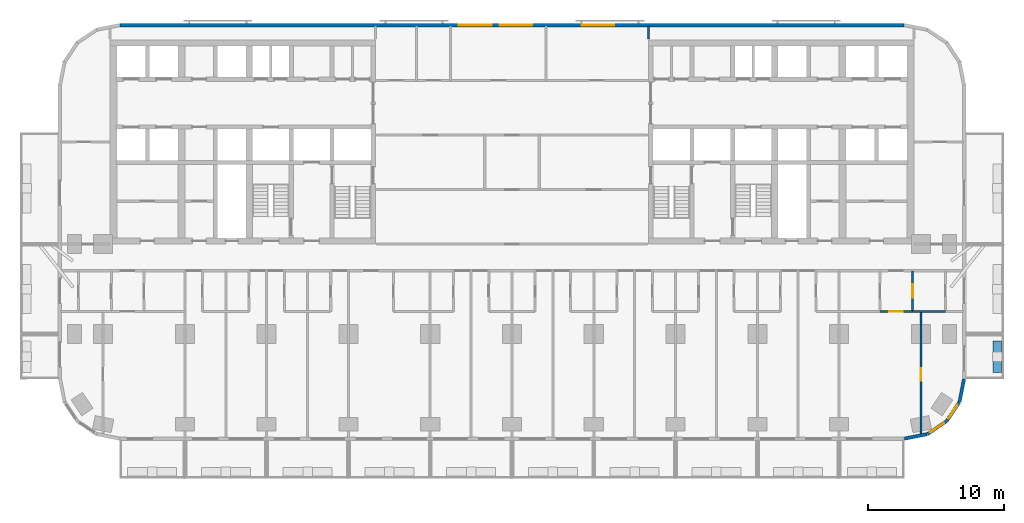
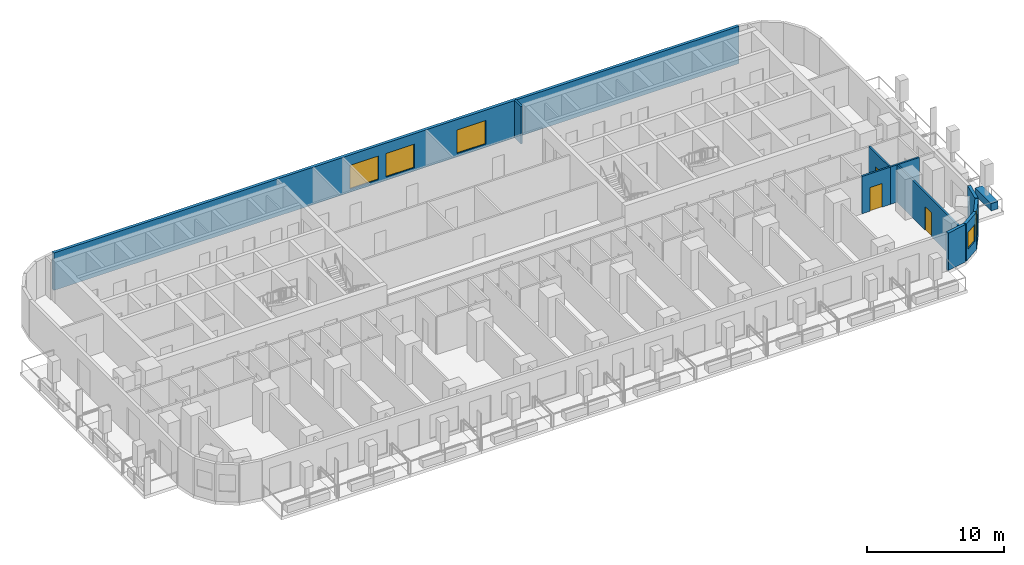
# One storey, part 9 of 15: 11 walls, 5 windows, 3 doors, 8 openings.
"""IFC4 building model written with IfcOpenShell, lengths in metres."""

from ifc_helpers import new_model, si_unit, direction, frame, frame_2d, origin, place, context, subcontext, project, spatial, rectangle, extrude, material, layer, layer_set, type_object, element, fill, save


model = new_model("IFC4")

# Units and contexts
model_context = context("Model", 3, precision=1e-05, world=origin(), true_north=direction((0.0, 1.0)))
body_context = subcontext(model_context, "Body", "Model", "MODEL_VIEW")
ifc_project = project(units=[si_unit("LENGTHUNIT", "METRE"), si_unit("AREAUNIT", "SQUARE_METRE"), si_unit("VOLUMEUNIT", "CUBIC_METRE"), si_unit("PLANEANGLEUNIT", "RADIAN"), si_unit("MASSUNIT", "GRAM", prefix="KILO")], contexts=[model_context])

# Site, building, storey
site_placement = place(None, origin())
site = spatial("IfcSite", under=ifc_project, at=site_placement, CompositionType="ELEMENT")
building_placement = place(site_placement, origin())
building = spatial("IfcBuilding", under=site, at=building_placement, Name="Torana Hotel and Residences", CompositionType="ELEMENT")
storey_placement = place(building_placement, frame((0.0, 0.0, 24.0)))
storey = spatial("IfcBuildingStorey", under=building, at=storey_placement, Name="L04", CompositionType="ELEMENT", Elevation=24.0)

# Wall
ifc_material_1 = material(Name="Black aluminium composite panel", Category="aluminium")
ifc_layer_1 = layer(ifc_material_1, 0.00390625, Name="Cladding", Category="cladding")
ifc_material_2 = material(Name="Ventilated air cavity")
ifc_layer_2 = layer(ifc_material_2, 0.0400390625, Name="Ventilated cavity", Category="cavity")
ifc_material_3 = material(Name="Mineral wool insulation")
ifc_layer_3 = layer(ifc_material_3, 0.090087890625, Name="Insulation", Category="insulation")
ifc_material_4 = material(Name="Steel S280GD", Category="steel")
ifc_layer_4 = layer(ifc_material_4, 0.092041015625, Name="Steel stud frame", Category="structure")
ifc_material_5 = material(Name="Fire rated plasterboard")
ifc_layer_5 = layer(ifc_material_5, 0.011962890625, Name="Inner board", Category="finish")
ifc_layer_6 = layer(ifc_material_5, 0.011962890625, Name="Second board", Category="finish")
ifc_layer_set_1 = layer_set([ifc_layer_1, ifc_layer_2, ifc_layer_3, ifc_layer_4, ifc_layer_5, ifc_layer_6], Name="EW1 EXTERNAL WALL BLACK METAL CLAD 250")
wall_type_1 = type_object("IfcWallType", Name="EW1 EXTERNAL WALL BLACK METAL CLAD 250", PredefinedType="SOLIDWALL", material=ifc_layer_set_1)
wall_1_placement = place(storey_placement, frame((28.7998046875, -29.272705078125, 0.0), z_axis=(0.0, 0.0, 1.0), x_axis=(0.980775640221, 0.19513878023, 0.0)))
element("IfcWall", 1, at=wall_1_placement, inside=storey, type_object=wall_type_1, Name="External wall L04 e0.15", PredefinedType="SOLIDWALL", context=body_context, shape_type="SweptSolid", body=[
    extrude(rectangle(XDim=1.681396484375, YDim=0.25, at=frame_2d((0.8408203125, 0.0))), origin(), (0.0, 0.0, 1.0), 3.320068359375),
])

# Wall, opening, window
wall_2_placement = place(storey_placement, frame((30.493896484375, -28.92578125, 0.0), z_axis=(0.0, 0.0, 1.0), x_axis=(0.831482937015, 0.55555029066, 0.0)))
wall_2 = element("IfcWall", 2, at=wall_2_placement, inside=storey, type_object=wall_type_1, Name="External wall L04 e0.16", PredefinedType="SOLIDWALL", context=body_context, shape_type="SweptSolid", body=[
    extrude(rectangle(XDim=1.65625, YDim=0.25, at=frame_2d((0.828125, 0.0))), origin(), (0.0, 0.0, 1.0), 3.320068359375),
])
opening_1_placement = place(wall_2_placement, frame((0.228271484375, 0.0, 0.89990234375)))
opening_1 = element("IfcOpeningElement", 3, at=opening_1_placement, cuts=wall_2, Name="Opening W5", PredefinedType="OPENING", context=body_context, shape_type="SweptSolid", body=[
    extrude(rectangle(XDim=1.199951171875, YDim=1.5, at=frame_2d((0.60009765625, 0.75))), frame((0.0, 0.135009765625, 0.0), z_axis=(0.0, -1.0, 0.0), x_axis=(1.0, 0.0, 0.0)), (0.0, 0.0, 1.0), 0.27001953125),
])
ifc_material_6 = material(Name="Dark glass in black aluminium frame", Category="aluminium")
window_type_1 = type_object("IfcWindowType", Name="W5 CORNER FACET WINDOW 1200x1500", PartitioningType="SINGLE_PANEL", PredefinedType="WINDOW", material=ifc_material_6)
window_1_placement = place(opening_1_placement, origin())
window_1 = element("IfcWindow", 4, at=window_1_placement, inside=storey, type_object=window_type_1, Name="Window L04 e0.16", OverallHeight=1.5, OverallWidth=1.199951171875, PartitioningType="SINGLE_PANEL", PredefinedType="WINDOW", context=body_context, shape_type="SweptSolid", body=[
    extrude(rectangle(XDim=1.199951171875, YDim=1.5, at=frame_2d((0.60009765625, 0.75))), frame((0.0, 0.030029296875, 0.0), z_axis=(0.0, -1.0, 0.0), x_axis=(1.0, 0.0, 0.0)), (0.0, 0.0, 1.0), 0.06005859375),
])
fill(opening_1, window_1)

wall_3_placement = place(storey_placement, frame((31.90576171875, -27.97119140625, 0.0), z_axis=(0.0, 0.0, 1.0), x_axis=(0.55555029066, 0.831482937015, 0.0)))
wall_3 = element("IfcWall", 5, at=wall_3_placement, inside=storey, type_object=wall_type_1, Name="External wall L04 e0.17", PredefinedType="SOLIDWALL", context=body_context, shape_type="SweptSolid", body=[
    extrude(rectangle(XDim=1.65625, YDim=0.25, at=frame_2d((0.828125, 0.0))), origin(), (0.0, 0.0, 1.0), 3.320068359375),
])
opening_2_placement = place(wall_3_placement, frame((0.228271484375, 0.0, 0.89990234375)))
opening_2 = element("IfcOpeningElement", 6, at=opening_2_placement, cuts=wall_3, Name="Opening W5", PredefinedType="OPENING", context=body_context, shape_type="SweptSolid", body=[
    extrude(rectangle(XDim=1.199951171875, YDim=1.5, at=frame_2d((0.60009765625, 0.75))), frame((0.0, 0.135009765625, 0.0), z_axis=(0.0, -1.0, 0.0), x_axis=(1.0, 0.0, 0.0)), (0.0, 0.0, 1.0), 0.27001953125),
])
window_2_placement = place(opening_2_placement, origin())
window_2 = element("IfcWindow", 7, at=window_2_placement, inside=storey, type_object=window_type_1, Name="Window L04 e0.17", OverallHeight=1.5, OverallWidth=1.199951171875, PartitioningType="SINGLE_PANEL", PredefinedType="WINDOW", context=body_context, shape_type="SweptSolid", body=[
    extrude(rectangle(XDim=1.199951171875, YDim=1.5, at=frame_2d((0.60009765625, 0.75))), frame((0.0, 0.030029296875, 0.0), z_axis=(0.0, -1.0, 0.0), x_axis=(1.0, 0.0, 0.0)), (0.0, 0.0, 1.0), 0.06005859375),
])
fill(opening_2, window_2)

# Wall
wall_4_placement = place(storey_placement, frame((32.844482421875, -26.548828125, 0.0), z_axis=(0.0, 0.0, 1.0), x_axis=(0.195166572128, 0.980770110232, 0.0)))
element("IfcWall", 8, at=wall_4_placement, inside=storey, type_object=wall_type_1, Name="External wall L04 e0.18", PredefinedType="SOLIDWALL", context=body_context, shape_type="SweptSolid", body=[
    extrude(rectangle(XDim=1.68115234375, YDim=0.25, at=frame_2d((0.840576171875, 0.0))), origin(), (0.0, 0.0, 1.0), 3.320068359375),
])

# Wall, openings, windows
ifc_material_7 = material(Name="Concrete C40/50 precast", Category="concrete")
ifc_layer_7 = layer(ifc_material_7, 0.10009765625, Name="Perforated block", Category="cladding")
ifc_material_8 = material(Name="Air cavity")
ifc_layer_8 = layer(ifc_material_8, 0.030029296875, Name="Cavity", Category="cavity")
ifc_material_9 = material(Name="Concrete C40/50", Category="concrete")
ifc_layer_9 = layer(ifc_material_9, 0.10009765625, Name="Wall", Category="structure")
ifc_material_10 = material(Name="Plaster and paint")
ifc_layer_10 = layer(ifc_material_10, 0.02001953125, Name="Inner finish", Category="finish")
ifc_layer_set_2 = layer_set([ifc_layer_7, ifc_layer_8, ifc_layer_9, ifc_layer_10], Name="EW2 PERFORATED BLOCK SCREEN WALL 250")
wall_type_2 = type_object("IfcWallType", Name="EW2 PERFORATED BLOCK SCREEN WALL 250", PredefinedType="SOLIDWALL", material=ifc_layer_set_2)
wall_5_placement = place(storey_placement, frame((28.775390625, 1.074951171875, 0.0), z_axis=(0.0, 0.0, 1.0), x_axis=(-1.0, 0.0, 0.0)))
wall_5 = element("IfcWall", 9, at=wall_5_placement, inside=storey, type_object=wall_type_2, Name="External wall L04 e0.4", PredefinedType="SOLIDWALL", context=body_context, shape_type="SweptSolid", body=[
    extrude(rectangle(XDim=57.55078125, YDim=0.25, at=frame_2d((28.775390625, 0.0))), origin(), (0.0, 0.0, 1.0), 3.320068359375),
])
opening_3_placement = place(wall_5_placement, frame((21.275390625, 0.0, 0.300048828125)))
opening_3 = element("IfcOpeningElement", 10, at=opening_3_placement, cuts=wall_5, Name="Opening W1", PredefinedType="OPENING", context=body_context, shape_type="SweptSolid", body=[
    extrude(rectangle(XDim=2.39990234375, YDim=2.10009765625, at=frame_2d((1.199951171875, 1.050048828125))), frame((0.0, 0.135009765625, 0.0), z_axis=(0.0, -1.0, 0.0), x_axis=(1.0, 0.0, 0.0)), (0.0, 0.0, 1.0), 0.27001953125),
])
opening_4_placement = place(wall_5_placement, frame((27.275390625, 0.0, 0.300048828125)))
opening_4 = element("IfcOpeningElement", 11, at=opening_4_placement, cuts=wall_5, Name="Opening W1", PredefinedType="OPENING", context=body_context, shape_type="SweptSolid", body=[
    extrude(rectangle(XDim=2.39990234375, YDim=2.10009765625, at=frame_2d((1.199951171875, 1.050048828125))), frame((0.0, 0.135009765625, 0.0), z_axis=(0.0, -1.0, 0.0), x_axis=(1.0, 0.0, 0.0)), (0.0, 0.0, 1.0), 0.27001953125),
])
opening_5_placement = place(wall_5_placement, frame((30.275390625, 0.0, 0.300048828125)))
opening_5 = element("IfcOpeningElement", 12, at=opening_5_placement, cuts=wall_5, Name="Opening W1", PredefinedType="OPENING", context=body_context, shape_type="SweptSolid", body=[
    extrude(rectangle(XDim=2.39990234375, YDim=2.10009765625, at=frame_2d((1.199951171875, 1.050048828125))), frame((0.0, 0.135009765625, 0.0), z_axis=(0.0, -1.0, 0.0), x_axis=(1.0, 0.0, 0.0)), (0.0, 0.0, 1.0), 0.27001953125),
])
ifc_material_11 = material(Name="Dark glass in black aluminium frame", Category="aluminium")
window_type_2 = type_object("IfcWindowType", Name="W1 HOTEL ROOM WINDOW 2400x2100", PartitioningType="SINGLE_PANEL", PredefinedType="WINDOW", material=ifc_material_11)
window_3_placement = place(opening_3_placement, origin())
window_3 = element("IfcWindow", 13, at=window_3_placement, inside=storey, type_object=window_type_2, Name="Window L04", OverallHeight=2.10009765625, OverallWidth=2.39990234375, PartitioningType="SINGLE_PANEL", PredefinedType="WINDOW", context=body_context, shape_type="SweptSolid", body=[
    extrude(rectangle(XDim=2.39990234375, YDim=2.10009765625, at=frame_2d((1.199951171875, 1.050048828125))), frame((0.0, 0.030029296875, 0.0), z_axis=(0.0, -1.0, 0.0), x_axis=(1.0, 0.0, 0.0)), (0.0, 0.0, 1.0), 0.06005859375),
])
fill(opening_3, window_3)
window_4_placement = place(opening_4_placement, origin())
window_4 = element("IfcWindow", 14, at=window_4_placement, inside=storey, type_object=window_type_2, Name="Window L04", OverallHeight=2.10009765625, OverallWidth=2.39990234375, PartitioningType="SINGLE_PANEL", PredefinedType="WINDOW", context=body_context, shape_type="SweptSolid", body=[
    extrude(rectangle(XDim=2.39990234375, YDim=2.10009765625, at=frame_2d((1.199951171875, 1.050048828125))), frame((0.0, 0.030029296875, 0.0), z_axis=(0.0, -1.0, 0.0), x_axis=(1.0, 0.0, 0.0)), (0.0, 0.0, 1.0), 0.06005859375),
])
fill(opening_4, window_4)
window_5_placement = place(opening_5_placement, origin())
window_5 = element("IfcWindow", 15, at=window_5_placement, inside=storey, type_object=window_type_2, Name="Window L04", OverallHeight=2.10009765625, OverallWidth=2.39990234375, PartitioningType="SINGLE_PANEL", PredefinedType="WINDOW", context=body_context, shape_type="SweptSolid", body=[
    extrude(rectangle(XDim=2.39990234375, YDim=2.10009765625, at=frame_2d((1.199951171875, 1.050048828125))), frame((0.0, 0.030029296875, 0.0), z_axis=(0.0, -1.0, 0.0), x_axis=(1.0, 0.0, 0.0)), (0.0, 0.0, 1.0), 0.06005859375),
])
fill(opening_5, window_5)

# Wall, opening, door
ifc_material_12 = material(Name="Gypsum plaster")
ifc_layer_11 = layer(ifc_material_12, 0.014892578125, Name="Plaster", Category="finish")
ifc_material_13 = material(Name="Concrete blockwork", Category="masonry")
ifc_layer_12 = layer(ifc_material_13, 0.1201171875, Name="Blockwork", Category="structure")
ifc_layer_13 = layer(ifc_material_12, 0.014892578125, Name="Plaster", Category="finish")
ifc_layer_set_3 = layer_set([ifc_layer_11, ifc_layer_12, ifc_layer_13], Name="FIRE PARTITION 150 BLOCKWORK")
wall_type_3 = type_object("IfcWallType", Name="FIRE PARTITION 150 BLOCKWORK", PredefinedType="PARTITIONING", material=ifc_layer_set_3)
wall_6_placement = place(storey_placement, frame((29.39990234375, -19.949951171875, 0.0), z_axis=(0.0, 0.0, 1.0), x_axis=(0.0, 1.0, 0.0)))
wall_6 = element("IfcWall", 16, at=wall_6_placement, inside=storey, type_object=wall_type_3, Name="Partition L04", PredefinedType="PARTITIONING", context=body_context, shape_type="SweptSolid", body=[
    extrude(rectangle(XDim=3.0, YDim=0.14990234375, at=frame_2d((1.5, 0.0))), origin(), (0.0, 0.0, 1.0), 3.320068359375),
])
opening_6_placement = place(wall_6_placement, frame((1.02001953125, 0.0, 0.0)))
opening_6 = element("IfcOpeningElement", 17, at=opening_6_placement, cuts=wall_6, Name="Opening L04-88", PredefinedType="OPENING", context=body_context, shape_type="SweptSolid", body=[
    extrude(rectangle(XDim=1.0, YDim=2.10009765625, at=frame_2d((0.5, 1.050048828125))), frame((0.0, 0.0849609375, 0.0), z_axis=(0.0, -1.0, 0.0), x_axis=(1.0, 0.0, 0.0)), (0.0, 0.0, 1.0), 0.169921875),
])
ifc_material_14 = material(Name="Steel S235", Category="steel")
door_type_1 = type_object("IfcDoorType", Name="ENTRY FIRE DOOR D6 1000x2100", OperationType="SINGLE_SWING_LEFT", PredefinedType="DOOR", material=ifc_material_14)
door_1_placement = place(opening_6_placement, frame((0.5, 0.0, 0.0), z_axis=(0.0, 0.0, 1.0), x_axis=(-1.0, 0.0, 0.0)))
door_1 = element("IfcDoor", 18, at=door_1_placement, inside=storey, type_object=door_type_1, Name="Door L04", OperationType="SINGLE_SWING_LEFT", OverallHeight=2.10009765625, OverallWidth=1.0, PredefinedType="DOOR", context=body_context, shape_type="SweptSolid", body=[
    extrude(rectangle(XDim=1.0, YDim=2.10009765625, at=frame_2d((0.0, 1.050048828125))), frame((0.0, -0.02490234375, 0.0), z_axis=(0.0, 1.0, 0.0), x_axis=(-1.0, 0.0, 0.0)), (0.0, 0.0, 1.0), 0.050048828125),
])
fill(opening_6, door_1)

wall_7_placement = place(storey_placement, frame((27.0, -19.949951171875, 0.0), z_axis=(0.0, 0.0, 1.0), x_axis=(1.0, 0.0, 0.0)))
wall_7 = element("IfcWall", 19, at=wall_7_placement, inside=storey, type_object=wall_type_3, Name="Partition L04", PredefinedType="PARTITIONING", context=body_context, shape_type="SweptSolid", body=[
    extrude(rectangle(XDim=2.39990234375, YDim=0.14990234375, at=frame_2d((1.199951171875, 0.0))), origin(), (0.0, 0.0, 1.0), 3.320068359375),
])
opening_7_placement = place(wall_7_placement, frame((0.679931640625, 0.0, 0.0)))
opening_7 = element("IfcOpeningElement", 20, at=opening_7_placement, cuts=wall_7, Name="Opening L04-89", PredefinedType="OPENING", context=body_context, shape_type="SweptSolid", body=[
    extrude(rectangle(XDim=1.0, YDim=2.10009765625, at=frame_2d((0.5, 1.050048828125))), frame((0.0, 0.0849609375, 0.0), z_axis=(0.0, -1.0, 0.0), x_axis=(1.0, 0.0, 0.0)), (0.0, 0.0, 1.0), 0.169921875),
])
door_2_placement = place(opening_7_placement, frame((0.5, 0.0, 0.0), z_axis=(0.0, 0.0, 1.0), x_axis=(-1.0, 0.0, 0.0)))
door_2 = element("IfcDoor", 21, at=door_2_placement, inside=storey, type_object=door_type_1, Name="Door L04", OperationType="SINGLE_SWING_RIGHT", OverallHeight=2.10009765625, OverallWidth=1.0, PredefinedType="DOOR", context=body_context, shape_type="SweptSolid", body=[
    extrude(rectangle(XDim=1.0, YDim=2.10009765625, at=frame_2d((0.0, 1.050048828125))), frame((0.0, -0.02490234375, 0.0), z_axis=(0.0, 1.0, 0.0), x_axis=(-1.0, 0.0, 0.0)), (0.0, 0.0, 1.0), 0.050048828125),
])
fill(opening_7, door_2)

ifc_material_15 = material(Name="Gypsum plasterboard")
ifc_layer_14 = layer(ifc_material_15, 0.012451171875, Name="Plasterboard", Category="finish")
ifc_layer_15 = layer(ifc_material_15, 0.012451171875, Name="Plasterboard", Category="finish")
ifc_layer_16 = layer(ifc_material_4, 0.10009765625, Name="Steel studs with mineral wool", Category="insulation")
ifc_layer_17 = layer(ifc_material_15, 0.012451171875, Name="Plasterboard", Category="finish")
ifc_layer_18 = layer(ifc_material_15, 0.012451171875, Name="Plasterboard", Category="finish")
ifc_layer_set_4 = layer_set([ifc_layer_14, ifc_layer_15, ifc_layer_16, ifc_layer_17, ifc_layer_18], Name="PARTITION 150 PLASTERBOARD")
wall_type_4 = type_object("IfcWallType", Name="PARTITION 150 PLASTERBOARD", PredefinedType="PARTITIONING", material=ifc_layer_set_4)
wall_8_placement = place(storey_placement, frame((30.0, -28.977783203125, 0.0), z_axis=(0.0, 0.0, 1.0), x_axis=(0.0, 1.0, 0.0)))
wall_8 = element("IfcWall", 22, at=wall_8_placement, inside=storey, type_object=wall_type_4, Name="Partition L04", PredefinedType="PARTITIONING", context=body_context, shape_type="SweptSolid", body=[
    extrude(rectangle(XDim=9.02783203125, YDim=0.14990234375, at=frame_2d((4.513916015625, 0.0))), origin(), (0.0, 0.0, 1.0), 3.320068359375),
])
opening_8_placement = place(wall_8_placement, frame((3.957763671875, 0.0, 0.0)))
opening_8 = element("IfcOpeningElement", 23, at=opening_8_placement, cuts=wall_8, Name="Opening L04-91", PredefinedType="OPENING", context=body_context, shape_type="SweptSolid", body=[
    extrude(rectangle(XDim=0.89990234375, YDim=2.10009765625, at=frame_2d((0.449951171875, 1.050048828125))), frame((0.0, 0.0849609375, 0.0), z_axis=(0.0, -1.0, 0.0), x_axis=(1.0, 0.0, 0.0)), (0.0, 0.0, 1.0), 0.169921875),
])
ifc_material_16 = material(Name="Timber door, oiled ash", Category="wood")
door_type_2 = type_object("IfcDoorType", Name="ROOM DOOR D7 900x2100", OperationType="SINGLE_SWING_LEFT", PredefinedType="DOOR", material=ifc_material_16)
door_3_placement = place(opening_8_placement, origin())
door_3 = element("IfcDoor", 24, at=door_3_placement, inside=storey, type_object=door_type_2, Name="Door L04", OperationType="SINGLE_SWING_RIGHT", OverallHeight=2.10009765625, OverallWidth=0.89990234375, PredefinedType="DOOR", context=body_context, shape_type="SweptSolid", body=[
    extrude(rectangle(XDim=0.89990234375, YDim=2.10009765625, at=frame_2d((0.449951171875, 1.050048828125))), frame((0.0, 0.02490234375, 0.0), z_axis=(0.0, -1.0, 0.0), x_axis=(1.0, 0.0, 0.0)), (0.0, 0.0, 1.0), 0.050048828125),
])
fill(opening_8, door_3)

# Walls
wall_9_placement = place(storey_placement, frame((10.0, 0.050048828125, 0.0), z_axis=(0.0, 0.0, 1.0), x_axis=(0.0, 1.0, 0.0)))
element("IfcWall", 25, at=wall_9_placement, inside=storey, type_object=wall_type_4, Name="Partition L04", PredefinedType="PARTITIONING", context=body_context, shape_type="SweptSolid", body=[
    extrude(rectangle(XDim=0.969970703125, YDim=0.14990234375, at=frame_2d((0.48486328125, 0.0))), origin(), (0.0, 0.0, 1.0), 3.320068359375),
])
wall_10_placement = place(storey_placement, frame((29.39990234375, -19.949951171875, 0.0), z_axis=(0.0, 0.0, 1.0), x_axis=(1.0, 0.0, 0.0)))
element("IfcWall", 26, at=wall_10_placement, inside=storey, type_object=wall_type_4, Name="Partition L04", PredefinedType="PARTITIONING", context=body_context, shape_type="SweptSolid", body=[
    extrude(rectangle(XDim=2.400146484375, YDim=0.14990234375, at=frame_2d((1.2001953125, 0.0))), origin(), (0.0, 0.0, 1.0), 3.320068359375),
])
ifc_layer_19 = layer(ifc_material_7, 0.10009765625, Name="Planter shell", Category="structure")
ifc_material_17 = material(Name="Root resistant membrane")
ifc_layer_20 = layer(ifc_material_17, 0.00390625, Name="Waterproofing membrane", Category="membrane")
ifc_material_18 = material(Name="Drainage board with filter fleece")
ifc_layer_21 = layer(ifc_material_18, 0.02001953125, Name="Drainage board", Category="drainage")
ifc_material_19 = material(Name="Growing medium")
ifc_layer_22 = layer(ifc_material_19, 0.47607421875, Name="Planting substrate", Category="soil")
ifc_layer_set_5 = layer_set([ifc_layer_19, ifc_layer_20, ifc_layer_21, ifc_layer_22], Name="PL1 BALCONY PLANTER 600")
wall_type_5 = type_object("IfcWallType", Name="PL1 BALCONY PLANTER 600", PredefinedType="USERDEFINED", material=ifc_layer_set_5)
wall_11_placement = place(storey_placement, frame((35.60009765625, -22.10009765625, 0.0), z_axis=(0.0, 0.0, 1.0), x_axis=(0.0, -1.0, 0.0)))
element("IfcWall", 27, at=wall_11_placement, inside=storey, type_object=wall_type_5, Name="Planter 14", ObjectType="PLANTER", PredefinedType="USERDEFINED", context=body_context, shape_type="SweptSolid", body=[
    extrude(rectangle(XDim=2.2998046875, YDim=0.60009765625, at=frame_2d((1.14990234375, 0.0))), origin(), (0.0, 0.0, 1.0), 0.64990234375),
])

save(model, "model.ifc")
